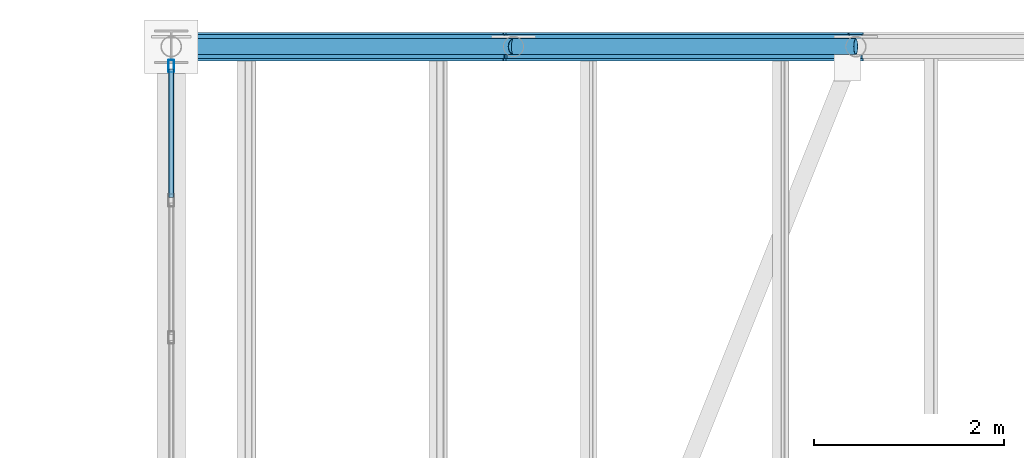
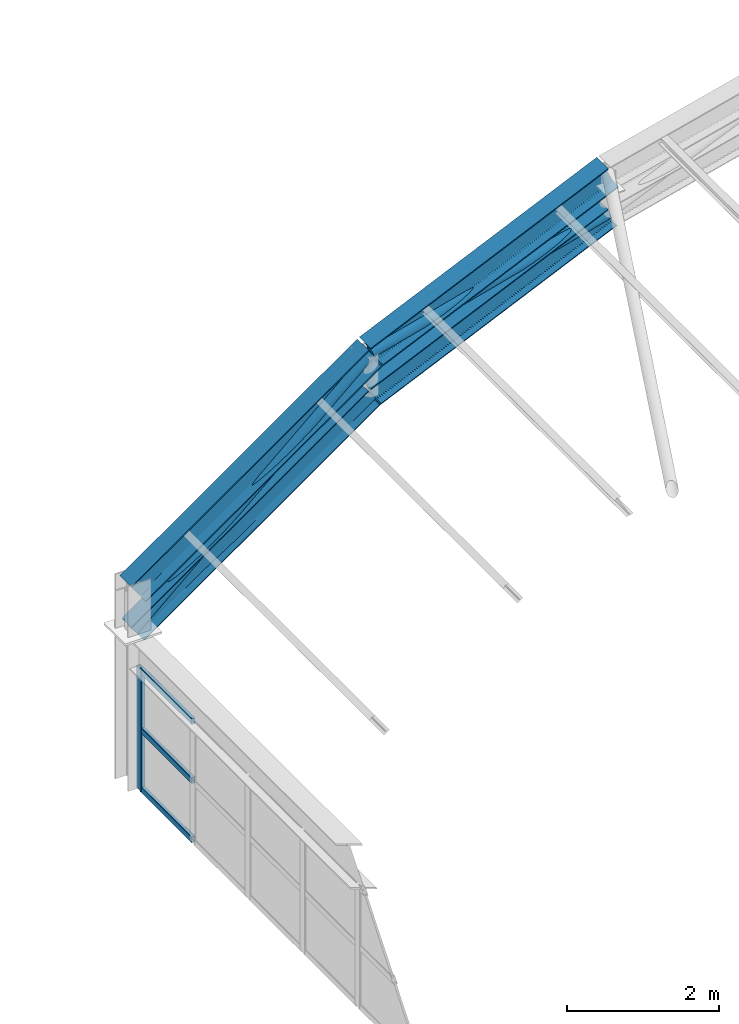
# One storey, part 75 of 121: 8 members, 2 beams, 1 element without a shape of its own.
"""IFC4 building model written with IfcOpenShell, lengths in metres."""

from ifc_helpers import new_model, si_unit, direction, frame, origin, origin_2d, place, context, subcontext, project, spatial, hollow_rectangle, hollow_circle, i_section, extrude, material, material_profile, profile_set, type_object, element, aggregate, save


model = new_model("IFC4")

# Units and contexts
model_context = context("Model", 3, precision=1e-05, world=origin(), true_north=direction((0.0, 1.0)))
body_context = subcontext(model_context, "Body", "Model", "MODEL_VIEW")
ifc_project = project(units=[si_unit("LENGTHUNIT", "METRE"), si_unit("AREAUNIT", "SQUARE_METRE"), si_unit("VOLUMEUNIT", "CUBIC_METRE"), si_unit("PLANEANGLEUNIT", "RADIAN"), si_unit("MASSUNIT", "GRAM", prefix="KILO")], contexts=[model_context])

# Site, building, storey
site_placement = place(None, origin())
site = spatial("IfcSite", under=ifc_project, at=site_placement, CompositionType="ELEMENT")
building_placement = place(site_placement, origin())
building = spatial("IfcBuilding", under=site, at=building_placement, Name="Canglan Escarpment Cableway Terminal", CompositionType="ELEMENT")
storey_placement = place(building_placement, frame((0.0, 0.0, 24.60009765625)))
storey = spatial("IfcBuildingStorey", under=building, at=storey_placement, Name="L05", CompositionType="ELEMENT", Elevation=24.60009765625)

# Beams
ifc_material_1 = material(Name="Steel Q355B", Category="steel")
ifc_material_profile_1 = material_profile(ifc_material_1, i_section(OverallWidth=0.300048828125, OverallDepth=0.389892578125, WebThickness=0.010009765625, FlangeThickness=0.01611328125, FilletRadius=0.02197265625, at=origin_2d()), Name="HM 390x300x10x16")
ifc_profile_set_1 = profile_set([ifc_material_profile_1], Name="Steel Q355B")
beam_type = type_object("IfcBeamType", Name="BM-ARCH-TOP-HM390", PredefinedType="BEAM", material=ifc_profile_set_1)
beam_1_placement = place(storey_placement, frame((137.60009765625, 124.0, 3.08251953125), z_axis=(0.817731009495, 0.0, 0.575600552563), x_axis=(0.0, 1.0, 0.0)))
element("IfcBeam", 1, at=beam_1_placement, inside=storey, type_object=beam_type, Name="Vault ROOF TRUSS arch top chord AR-TC1", PredefinedType="BEAM", context=body_context, shape_type="SweptSolid", body=[
    extrude(i_section(OverallWidth=0.300048828125, OverallDepth=0.389892578125, WebThickness=0.010009765625, FlangeThickness=0.01611328125, FilletRadius=0.02197265625, at=origin_2d()), origin(), (0.0, 0.0, 1.0), 4.40234375),
])
beam_2_placement = place(storey_placement, frame((141.199951171875, 124.0, 5.616455078125), z_axis=(0.911752518833, 0.0, 0.410739996108), x_axis=(0.0, 1.0, 0.0)))
element("IfcBeam", 2, at=beam_2_placement, inside=storey, type_object=beam_type, Name="Vault ROOF TRUSS arch top chord AR-TC1", PredefinedType="BEAM", context=body_context, shape_type="SweptSolid", body=[
    extrude(i_section(OverallWidth=0.300048828125, OverallDepth=0.389892578125, WebThickness=0.010009765625, FlangeThickness=0.01611328125, FilletRadius=0.02197265625, at=origin_2d()), origin(), (0.0, 0.0, 1.0), 3.948486328125),
])

# Curtain wall, members
ifc_material_2 = material(Name="Anodized bronze aluminium and Low-E double glazing", Category="aluminium")
curtain_wall_type = type_object("IfcCurtainWallType", Name="CW-BAY-8650x1950", PredefinedType="NOTDEFINED", material=ifc_material_2)
curtain_wall_placement = place(storey_placement, origin())
curtain_wall = element("IfcCurtainWall", 3, at=curtain_wall_placement, inside=storey, type_object=curtain_wall_type, Name="Classical bay-between-piers glazed curtain wall CW-66", PredefinedType="NOTDEFINED")
ifc_material_3 = material(Name="Thermally broken anodized aluminium 6063-T6", Category="aluminium")
ifc_material_profile_2 = material_profile(ifc_material_3, hollow_rectangle(XDim=0.06005859375, YDim=0.1298828125, WallThickness=0.0029296875, InnerFilletRadius=0.0029296875, OuterFilletRadius=0.006103515625, at=origin_2d()), Name="ALU-MULL 60x130x3")
ifc_profile_set_2 = profile_set([ifc_material_profile_2], Name="Thermally broken anodized aluminium 6063-T6")
member_type_1 = type_object("IfcMemberType", Name="CWM-01", PredefinedType="MULLION", material=ifc_profile_set_2)
member_1_placement = place(storey_placement, frame((137.60009765625, 123.794921875, 0.0), z_axis=(0.0, 0.0, 1.0), x_axis=(1.0, 0.0, 0.0)))
member_1 = element("IfcMember", 4, at=member_1_placement, type_object=member_type_1, Name="CW-66 mullion 1", PredefinedType="MULLION", context=body_context, shape_type="SweptSolid", body=[
    extrude(hollow_rectangle(XDim=0.06005859375, YDim=0.1298828125, WallThickness=0.0029296875, InnerFilletRadius=0.0029296875, OuterFilletRadius=0.006103515625, at=origin_2d()), origin(), (0.0, 0.0, 1.0), 1.949951171875),
])
ifc_material_profile_3 = material_profile(ifc_material_3, hollow_rectangle(XDim=0.054931640625, YDim=0.094970703125, WallThickness=0.0029296875, InnerFilletRadius=0.0029296875, OuterFilletRadius=0.006103515625, at=origin_2d()), Name="ALU-TRAN 55x95x3")
ifc_profile_set_3 = profile_set([ifc_material_profile_3], Name="Thermally broken anodized aluminium 6063-T6")
member_type_2 = type_object("IfcMemberType", Name="CWT-01", PredefinedType="USERDEFINED", material=ifc_profile_set_3)
member_2_placement = place(storey_placement, frame((137.60009765625, 123.764892578125, 0.02734375), z_axis=(0.0, -1.0, 0.0), x_axis=(1.0, 0.0, 0.0)))
member_2 = element("IfcMember", 5, at=member_2_placement, type_object=member_type_2, Name="CW-66 transom 1.1", ObjectType="TRANSOM", PredefinedType="USERDEFINED", context=body_context, shape_type="SweptSolid", body=[
    extrude(hollow_rectangle(XDim=0.054931640625, YDim=0.094970703125, WallThickness=0.0029296875, InnerFilletRadius=0.0029296875, OuterFilletRadius=0.006103515625, at=origin_2d()), origin(), (0.0, 0.0, 1.0), 1.3515625),
])
member_3_placement = place(storey_placement, frame((137.60009765625, 123.764892578125, 0.974853515625), z_axis=(0.0, -1.0, 0.0), x_axis=(1.0, 0.0, 0.0)))
member_3 = element("IfcMember", 6, at=member_3_placement, type_object=member_type_2, Name="CW-66 transom 1.2", ObjectType="TRANSOM", PredefinedType="USERDEFINED", context=body_context, shape_type="SweptSolid", body=[
    extrude(hollow_rectangle(XDim=0.054931640625, YDim=0.094970703125, WallThickness=0.0029296875, InnerFilletRadius=0.0029296875, OuterFilletRadius=0.006103515625, at=origin_2d()), origin(), (0.0, 0.0, 1.0), 1.3515625),
])
member_4_placement = place(storey_placement, frame((137.60009765625, 123.764892578125, 1.92236328125), z_axis=(0.0, -1.0, 0.0), x_axis=(1.0, 0.0, 0.0)))
member_4 = element("IfcMember", 7, at=member_4_placement, type_object=member_type_2, Name="CW-66 transom 1.3", ObjectType="TRANSOM", PredefinedType="USERDEFINED", context=body_context, shape_type="SweptSolid", body=[
    extrude(hollow_rectangle(XDim=0.054931640625, YDim=0.094970703125, WallThickness=0.0029296875, InnerFilletRadius=0.0029296875, OuterFilletRadius=0.006103515625, at=origin_2d()), origin(), (0.0, 0.0, 1.0), 1.3515625),
])
aggregate(curtain_wall, [member_1, member_2, member_3, member_4])

# Members
ifc_material_profile_4 = material_profile(ifc_material_1, i_section(OverallWidth=0.25, OverallDepth=0.340087890625, WebThickness=0.009033203125, FlangeThickness=0.013916015625, FilletRadius=0.02001953125, at=origin_2d()), Name="HM 340x250x9x14")
ifc_profile_set_4 = profile_set([ifc_material_profile_4], Name="Steel Q355B")
member_type_3 = type_object("IfcMemberType", Name="MB-ARCH-BOT-HM340", PredefinedType="CHORD", material=ifc_profile_set_4)
member_5_placement = place(storey_placement, frame((137.60009765625, 124.0, 2.432373046875), z_axis=(0.81770490607, 0.0, 0.575637634792), x_axis=(0.0, 1.0, 0.0)))
element("IfcMember", 8, at=member_5_placement, inside=storey, type_object=member_type_3, Name="Vault ROOF TRUSS arch bottom chord AR-BC1", PredefinedType="CHORD", context=body_context, shape_type="SweptSolid", body=[
    extrude(i_section(OverallWidth=0.25, OverallDepth=0.340087890625, WebThickness=0.009033203125, FlangeThickness=0.013916015625, FilletRadius=0.02001953125, at=origin_2d()), origin(), (0.0, 0.0, 1.0), 4.40234375),
])
member_6_placement = place(storey_placement, frame((141.199951171875, 124.0, 4.966552734375), z_axis=(0.911752518833, 0.0, 0.410739996108), x_axis=(0.0, 1.0, 0.0)))
element("IfcMember", 9, at=member_6_placement, inside=storey, type_object=member_type_3, Name="Vault ROOF TRUSS arch bottom chord AR-BC1", PredefinedType="CHORD", context=body_context, shape_type="SweptSolid", body=[
    extrude(i_section(OverallWidth=0.25, OverallDepth=0.340087890625, WebThickness=0.009033203125, FlangeThickness=0.013916015625, FilletRadius=0.02001953125, at=origin_2d()), origin(), (0.0, 0.0, 1.0), 3.948486328125),
])
ifc_material_profile_5 = material_profile(ifc_material_1, hollow_circle(Radius=0.084228515625, WallThickness=0.006103515625, at=origin_2d()), Name="CHS 168.3x6")
ifc_profile_set_5 = profile_set([ifc_material_profile_5], Name="Steel Q355B")
member_type_4 = type_object("IfcMemberType", Name="MB-ARCH-DIAG-CHS168", PredefinedType="BRACE", material=ifc_profile_set_5)
member_7_placement = place(storey_placement, frame((137.60009765625, 124.0, 2.432373046875), z_axis=(0.749038254518, 0.0, 0.662526749096), x_axis=(0.0, 1.0, 0.0)))
element("IfcMember", 10, at=member_7_placement, inside=storey, type_object=member_type_4, Name="Vault ROOF TRUSS web diagonal AR-DG1", PredefinedType="BRACE", context=body_context, shape_type="SweptSolid", body=[
    extrude(hollow_circle(Radius=0.084228515625, WallThickness=0.006103515625, at=origin_2d()), origin(), (0.0, 0.0, 1.0), 4.805908203125),
])
member_8_placement = place(storey_placement, frame((141.199951171875, 124.0, 5.616455078125), z_axis=(0.96543600217, 0.0, 0.260640222748), x_axis=(0.0, 1.0, 0.0)))
element("IfcMember", 11, at=member_8_placement, inside=storey, type_object=member_type_4, Name="Vault ROOF TRUSS web diagonal AR-DG1", PredefinedType="BRACE", context=body_context, shape_type="SweptSolid", body=[
    extrude(hollow_circle(Radius=0.084228515625, WallThickness=0.006103515625, at=origin_2d()), origin(), (0.0, 0.0, 1.0), 3.72900390625),
])

save(model, "model.ifc")
